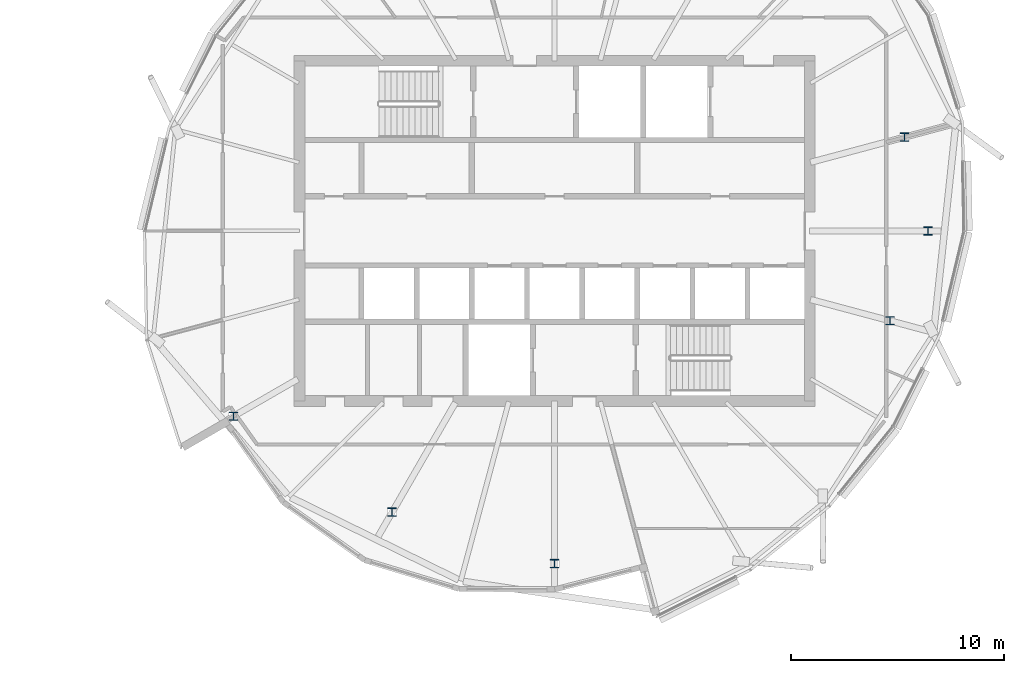
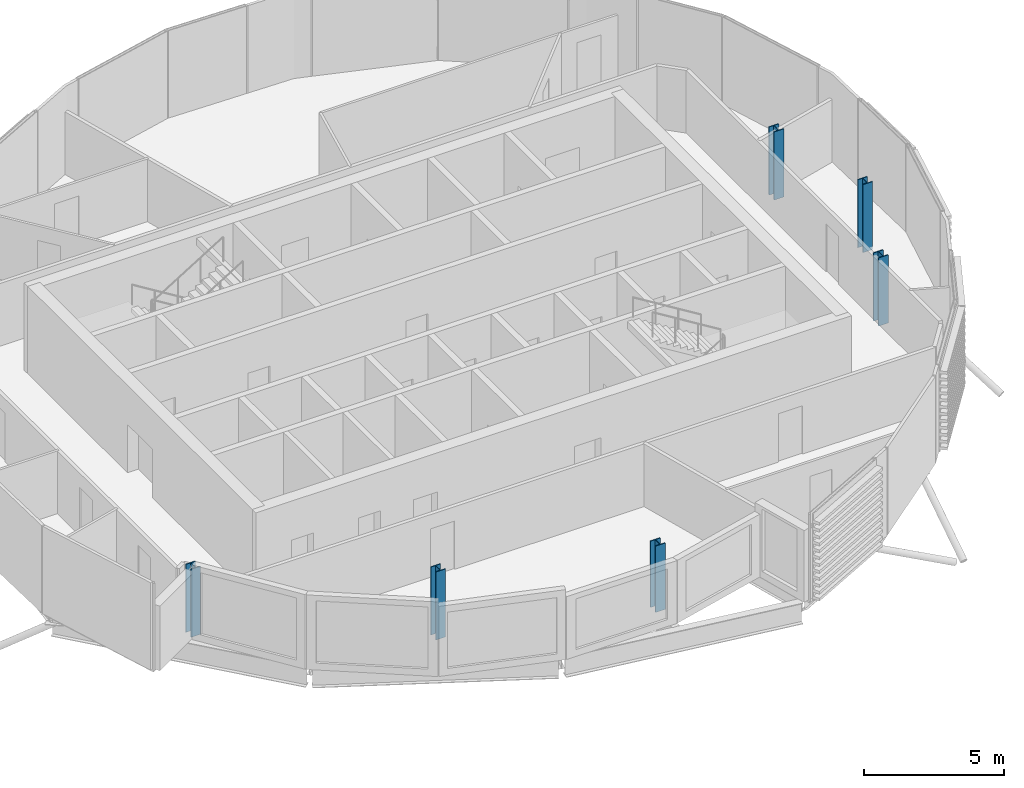
# One storey, part 2 of 33: 6 columns.
"""IFC4 building model written with IfcOpenShell, lengths in metres."""

from ifc_helpers import new_model, si_unit, direction, frame, origin, origin_2d, place, context, subcontext, project, spatial, i_section, extrude, material, material_profile, profile_set, type_object, element, save


model = new_model("IFC4")

# Units and contexts
model_context = context("Model", 3, precision=1e-05, world=origin(), true_north=direction((0.0, 1.0)))
body_context = subcontext(model_context, "Body", "Model", "MODEL_VIEW")
ifc_project = project(units=[si_unit("LENGTHUNIT", "METRE"), si_unit("AREAUNIT", "SQUARE_METRE"), si_unit("VOLUMEUNIT", "CUBIC_METRE"), si_unit("PLANEANGLEUNIT", "RADIAN"), si_unit("MASSUNIT", "GRAM", prefix="KILO")], contexts=[model_context])

# Site, building, storey
site_placement = place(None, origin())
site = spatial("IfcSite", under=ifc_project, at=site_placement, CompositionType="ELEMENT")
building_placement = place(site_placement, origin())
building = spatial("IfcBuilding", under=site, at=building_placement, Name="Rimbun Link Towers", CompositionType="ELEMENT")
storey_placement = place(building_placement, frame((0.0, 0.0, 240.89990234375)))
storey = spatial("IfcBuildingStorey", under=building, at=storey_placement, Name="L59", CompositionType="ELEMENT", Elevation=240.89990234375)

# Columns
ifc_material = material(Name="Steel S355J2", Category="steel")
ifc_material_profile = material_profile(ifc_material, i_section(OverallWidth=0.39892578125, OverallDepth=0.3935546875, WebThickness=0.022705078125, FlangeThickness=0.03662109375, at=origin_2d()), Name="UC 356x406x287")
ifc_profile_set = profile_set([ifc_material_profile], Name="Steel S355J2")
column_type = type_object("IfcColumnType", Name="UC 356x406x287", PredefinedType="COLUMN", material=ifc_profile_set)
for number, where, z_axis, x_axis, name in (
    (1, (16.646484375, -8.719970703125, -0.139892578125), (0.0, 0.0, 1.0), (1.0, 0.0, 0.0), "Crease post T2 L59 11"),
    (2, (24.11328125, -13.22705078125, -0.139892578125), (0.0, 0.0, 1.0), (1.0, 0.0, 0.0), "Crease post T2 L59 13"),
):
    element("IfcColumn", number, at=place(storey_placement, frame(where, z_axis=z_axis, x_axis=x_axis)), inside=storey, type_object=column_type, Name=name, PredefinedType="COLUMN", context=body_context, shape_type="SweptSolid", body=[
        extrude(i_section(OverallWidth=0.39892578125, OverallDepth=0.3935546875, WebThickness=0.022705078125, FlangeThickness=0.03662109375, at=origin_2d()), origin(), (0.0, 0.0, 1.0), 2.959228515625),
    ])
column_placement = place(storey_placement, frame((31.75, -15.6533203125, -0.139892578125), z_axis=(0.0, 0.0, 1.0), x_axis=(1.0, 0.0, 0.0)))
element("IfcColumn", 3, at=column_placement, inside=storey, type_object=column_type, Name="Crease post T2 L59 15", PredefinedType="COLUMN", context=body_context, shape_type="SweptSolid", body=[
    extrude(i_section(OverallWidth=0.39892578125, OverallDepth=0.3935546875, WebThickness=0.022705078125, FlangeThickness=0.03662109375, at=origin_2d()), origin(), (0.0, 0.0, 1.0), 2.881591796875),
])
for number, where, z_axis, x_axis, name in (
    (4, (47.519775390625, -4.2255859375, -0.139892578125), (0.0, 0.0, 1.0), (1.0, 0.0, 0.0), "Crease post T2 L59 20"),
    (5, (49.310791015625, 0.0, -0.139892578125), (0.0, 0.0, 1.0), (1.0, 0.0, 0.0), "Crease post T2 L59 21"),
    (6, (48.21142578125, 4.410888671875, -0.139892578125), (0.0, 0.0, 1.0), (1.0, 0.0, 0.0), "Crease post T2 L59 22"),
):
    element("IfcColumn", number, at=place(storey_placement, frame(where, z_axis=z_axis, x_axis=x_axis)), inside=storey, type_object=column_type, Name=name, PredefinedType="COLUMN", context=body_context, shape_type="SweptSolid", body=[
        extrude(i_section(OverallWidth=0.39892578125, OverallDepth=0.3935546875, WebThickness=0.022705078125, FlangeThickness=0.03662109375, at=origin_2d()), origin(), (0.0, 0.0, 1.0), 2.959228515625),
    ])

save(model, "model.ifc")
